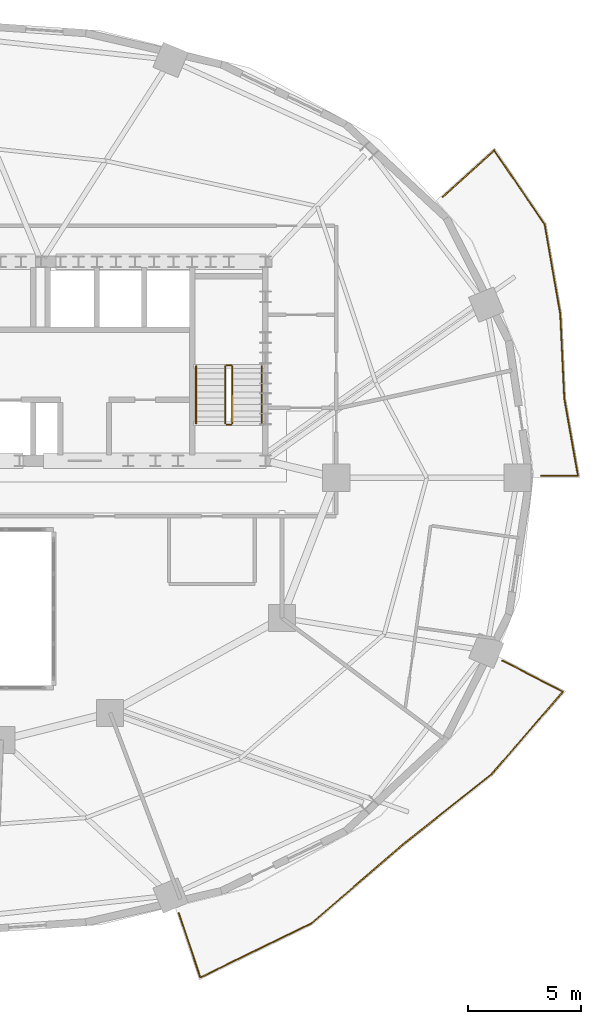
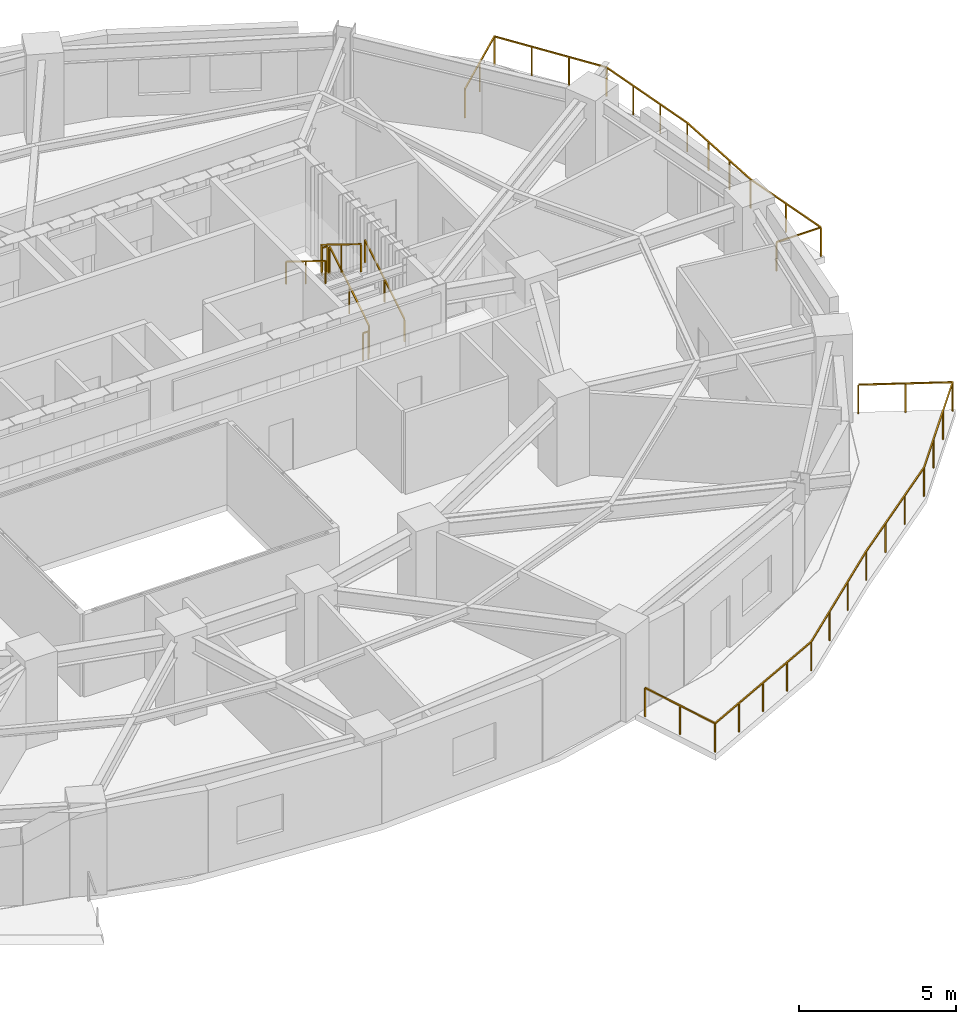
# One storey, part 12 of 12: 8 railings.
"""IFC4 building model written with IfcOpenShell, lengths in metres."""

from ifc_helpers import new_model, si_unit, direction, frame, origin, origin_2d, place, context, subcontext, project, spatial, rectangle, extrude, material, type_object, element, save


model = new_model("IFC4")

# Units and contexts
model_context = context("Model", 3, precision=1e-05, world=origin(), true_north=direction((0.0, 1.0)))
body_context = subcontext(model_context, "Body", "Model", "MODEL_VIEW")
ifc_project = project(units=[si_unit("LENGTHUNIT", "METRE"), si_unit("AREAUNIT", "SQUARE_METRE"), si_unit("VOLUMEUNIT", "CUBIC_METRE"), si_unit("PLANEANGLEUNIT", "RADIAN"), si_unit("MASSUNIT", "GRAM", prefix="KILO")], contexts=[model_context])

# Site, building, storey
site_placement = place(None, origin())
site = spatial("IfcSite", under=ifc_project, at=site_placement, CompositionType="ELEMENT")
building_placement = place(site_placement, origin())
building = spatial("IfcBuilding", under=site, at=building_placement, Name="Haldorwick Loom Tower", CompositionType="ELEMENT")
storey_placement = place(building_placement, frame((0.0, 0.0, 161.35009765625)))
storey = spatial("IfcBuildingStorey", under=building, at=storey_placement, Name="L43", CompositionType="ELEMENT", Elevation=161.35009765625)

# Railings
ifc_material_1 = material(Name="Galvanized Steel CSA G40.21 350W", Category="steel")
railing_type_1 = type_object("IfcRailingType", Name="ARC-RLG-BAL115", PredefinedType="BALUSTRADE", material=ifc_material_1)
railing_1_placement = place(storey_placement, frame((60.552734375, 17.91259765625, 0.0)))
element("IfcRailing", 1, at=railing_1_placement, inside=storey, type_object=railing_type_1, Name="L43 Outdoor Terrace Guardrail SLB-L43-BAL_SE-1", PredefinedType="BALUSTRADE", context=body_context, shape_type="SweptSolid", body=[
    extrude(rectangle(XDim=0.048095703125, YDim=0.048095703125, at=origin_2d()), frame((0.0, 0.0, 1.1259765625), z_axis=(0.888510792564, -0.458855719695, 0.0), x_axis=(0.458855719695, 0.888510792564, 0.0)), (0.0, 0.0, 1.0), 3.009765625),
    extrude(rectangle(XDim=0.048095703125, YDim=0.048095703125, at=origin_2d()), frame((2.67431640625, -1.381103515625, 1.1259765625), z_axis=(-0.654367841929, -0.756176386466, 0.0), x_axis=(0.756176386466, -0.654367841929, 0.0)), (0.0, 0.0, 1.0), 4.824951171875),
    extrude(rectangle(XDim=0.048095703125, YDim=0.048095703125, at=origin_2d()), frame((-0.48291015625, -5.029541015625, 1.1259765625), z_axis=(-0.783726636091, -0.621105916798, 0.0), x_axis=(0.621105916798, -0.783726636091, 0.0)), (0.0, 0.0, 1.0), 5.01123046875),
    extrude(rectangle(XDim=0.048095703125, YDim=0.048095703125, at=origin_2d()), frame((-4.410400390625, -8.14208984375, 1.1259765625), z_axis=(-0.773957299203, -0.633237790257, 0.0), x_axis=(0.633237790257, -0.773957299203, 0.0)), (0.0, 0.0, 1.0), 0.00341796875),
    extrude(rectangle(XDim=0.048095703125, YDim=0.048095703125, at=origin_2d()), frame((-4.4130859375, -8.144287109375, 1.1259765625), z_axis=(-0.757220744918, -0.653159049134, 0.0), x_axis=(0.653159049134, -0.757220744918, 0.0)), (0.0, 0.0, 1.0), 5.32568359375),
    extrude(rectangle(XDim=0.048095703125, YDim=0.048095703125, at=origin_2d()), frame((-8.44580078125, -11.622802734375, 1.1259765625), z_axis=(-0.899116897768, -0.43770858359, 0.0), x_axis=(0.43770858359, -0.899116897768, 0.0)), (0.0, 0.0, 1.0), 5.469970703125),
    extrude(rectangle(XDim=0.048095703125, YDim=0.048095703125, at=origin_2d()), frame((-13.364013671875, -14.01708984375, 1.1259765625), z_axis=(-0.316522037821, 0.948585156733, 0.0), x_axis=(-0.948585156733, -0.316522037821, 0.0)), (0.0, 0.0, 1.0), 2.986572265625),
    extrude(rectangle(XDim=0.0419921875, YDim=0.0419921875, at=origin_2d()), origin(), (0.0, 0.0, 1.0), 1.101806640625),
    extrude(rectangle(XDim=0.0419921875, YDim=0.0419921875, at=origin_2d()), frame((1.337158203125, -0.6904296875, 0.0)), (0.0, 0.0, 1.0), 1.101806640625),
    extrude(rectangle(XDim=0.0419921875, YDim=0.0419921875, at=origin_2d()), frame((2.67431640625, -1.381103515625, 0.0)), (0.0, 0.0, 1.0), 1.101806640625),
    extrude(rectangle(XDim=0.0419921875, YDim=0.0419921875, at=origin_2d()), frame((1.621826171875, -2.59716796875, 0.0)), (0.0, 0.0, 1.0), 1.101806640625),
    extrude(rectangle(XDim=0.0419921875, YDim=0.0419921875, at=origin_2d()), frame((0.569580078125, -3.8134765625, 0.0)), (0.0, 0.0, 1.0), 1.101806640625),
    extrude(rectangle(XDim=0.0419921875, YDim=0.0419921875, at=origin_2d()), frame((-0.48291015625, -5.029541015625, 0.0)), (0.0, 0.0, 1.0), 1.101806640625),
    extrude(rectangle(XDim=0.0419921875, YDim=0.0419921875, at=origin_2d()), frame((-1.7919921875, -6.067138671875, 0.0)), (0.0, 0.0, 1.0), 1.101806640625),
    extrude(rectangle(XDim=0.0419921875, YDim=0.0419921875, at=origin_2d()), frame((-3.101318359375, -7.1044921875, 0.0)), (0.0, 0.0, 1.0), 1.101806640625),
    extrude(rectangle(XDim=0.0419921875, YDim=0.0419921875, at=origin_2d()), frame((-4.410400390625, -8.14208984375, 0.0)), (0.0, 0.0, 1.0), 1.101806640625),
    extrude(rectangle(XDim=0.0419921875, YDim=0.0419921875, at=origin_2d()), frame((-5.75732421875, -9.3037109375, 0.0)), (0.0, 0.0, 1.0), 1.101806640625),
    extrude(rectangle(XDim=0.0419921875, YDim=0.0419921875, at=origin_2d()), frame((-7.1015625, -10.46337890625, 0.0)), (0.0, 0.0, 1.0), 1.101806640625),
    extrude(rectangle(XDim=0.0419921875, YDim=0.0419921875, at=origin_2d()), frame((-8.44580078125, -11.622802734375, 0.0)), (0.0, 0.0, 1.0), 1.101806640625),
    extrude(rectangle(XDim=0.0419921875, YDim=0.0419921875, at=origin_2d()), frame((-9.67529296875, -12.221435546875, 0.0)), (0.0, 0.0, 1.0), 1.101806640625),
    extrude(rectangle(XDim=0.0419921875, YDim=0.0419921875, at=origin_2d()), frame((-10.90478515625, -12.81982421875, 0.0)), (0.0, 0.0, 1.0), 1.101806640625),
    extrude(rectangle(XDim=0.0419921875, YDim=0.0419921875, at=origin_2d()), frame((-12.134521484375, -13.41845703125, 0.0)), (0.0, 0.0, 1.0), 1.101806640625),
    extrude(rectangle(XDim=0.0419921875, YDim=0.0419921875, at=origin_2d()), frame((-13.364013671875, -14.01708984375, 0.0)), (0.0, 0.0, 1.0), 1.101806640625),
    extrude(rectangle(XDim=0.0419921875, YDim=0.0419921875, at=origin_2d()), frame((-13.836669921875, -12.6005859375, 0.0)), (0.0, 0.0, 1.0), 1.101806640625),
    extrude(rectangle(XDim=0.0419921875, YDim=0.0419921875, at=origin_2d()), frame((-14.309326171875, -11.18408203125, 0.0)), (0.0, 0.0, 1.0), 1.101806640625),
])
railing_2_placement = place(storey_placement, frame((57.91162109375, 38.418701171875, 0.0)))
element("IfcRailing", 2, at=railing_2_placement, inside=storey, type_object=railing_type_1, Name="L43 Outdoor Terrace Guardrail SLB-L43-BAL_ENE-1", PredefinedType="BALUSTRADE", context=body_context, shape_type="SweptSolid", body=[
    extrude(rectangle(XDim=0.048095703125, YDim=0.048095703125, at=origin_2d()), frame((0.0, 0.0, 1.1259765625), z_axis=(0.741530121313, 0.670919577286, 0.0), x_axis=(-0.670919577286, 0.741530121313, 0.0)), (0.0, 0.0, 1.0), 3.06689453125),
    extrude(rectangle(XDim=0.048095703125, YDim=0.048095703125, at=origin_2d()), frame((2.274169921875, 2.0576171875, 1.1259765625), z_axis=(0.563872418529, -0.825861910747, 0.0), x_axis=(0.825861910747, 0.563872418529, 0.0)), (0.0, 0.0, 1.0), 3.95947265625),
    extrude(rectangle(XDim=0.048095703125, YDim=0.048095703125, at=origin_2d()), frame((4.5068359375, -1.21240234375, 1.1259765625), z_axis=(0.171625353709, -0.985162290166, 0.0), x_axis=(0.985162290166, 0.171625353709, 0.0)), (0.0, 0.0, 1.0), 4.0244140625),
    extrude(rectangle(XDim=0.048095703125, YDim=0.048095703125, at=origin_2d()), frame((5.197509765625, -5.177001953125, 1.1259765625), z_axis=(0.047350743594, -0.998878324463, 0.0), x_axis=(0.998878324463, 0.047350743594, 0.0)), (0.0, 0.0, 1.0), 3.73291015625),
    extrude(rectangle(XDim=0.048095703125, YDim=0.048095703125, at=origin_2d()), frame((5.374267578125, -8.90576171875, 1.1259765625), z_axis=(0.118212889785, -0.992988274195, 0.0), x_axis=(0.992988274195, 0.118212889785, 0.0)), (0.0, 0.0, 1.0), 0.01025390625),
    extrude(rectangle(XDim=0.048095703125, YDim=0.048095703125, at=origin_2d()), frame((5.37548828125, -8.916015625, 1.1259765625), z_axis=(0.174402362104, -0.984674472144, 0.0), x_axis=(0.984674472144, 0.174402362104, 0.0)), (0.0, 0.0, 1.0), 3.475830078125),
    extrude(rectangle(XDim=0.048095703125, YDim=0.048095703125, at=origin_2d()), frame((5.981689453125, -12.338623046875, 1.1259765625), z_axis=(-1.0, 0.0, 0.0), x_axis=(0.0, -1.0, 0.0)), (0.0, 0.0, 1.0), 1.633056640625),
    extrude(rectangle(XDim=0.0419921875, YDim=0.0419921875, at=origin_2d()), origin(), (0.0, 0.0, 1.0), 1.101806640625),
    extrude(rectangle(XDim=0.0419921875, YDim=0.0419921875, at=origin_2d()), frame((1.13720703125, 1.02880859375, 0.0)), (0.0, 0.0, 1.0), 1.101806640625),
    extrude(rectangle(XDim=0.0419921875, YDim=0.0419921875, at=origin_2d()), frame((2.274169921875, 2.0576171875, 0.0)), (0.0, 0.0, 1.0), 1.101806640625),
    extrude(rectangle(XDim=0.0419921875, YDim=0.0419921875, at=origin_2d()), frame((3.018310546875, 0.967529296875, 0.0)), (0.0, 0.0, 1.0), 1.101806640625),
    extrude(rectangle(XDim=0.0419921875, YDim=0.0419921875, at=origin_2d()), frame((3.7626953125, -0.122314453125, 0.0)), (0.0, 0.0, 1.0), 1.101806640625),
    extrude(rectangle(XDim=0.0419921875, YDim=0.0419921875, at=origin_2d()), frame((4.5068359375, -1.21240234375, 0.0)), (0.0, 0.0, 1.0), 1.101806640625),
    extrude(rectangle(XDim=0.0419921875, YDim=0.0419921875, at=origin_2d()), frame((4.737060546875, -2.533935546875, 0.0)), (0.0, 0.0, 1.0), 1.101806640625),
    extrude(rectangle(XDim=0.0419921875, YDim=0.0419921875, at=origin_2d()), frame((4.96728515625, -3.85546875, 0.0)), (0.0, 0.0, 1.0), 1.101806640625),
    extrude(rectangle(XDim=0.0419921875, YDim=0.0419921875, at=origin_2d()), frame((5.197509765625, -5.177001953125, 0.0)), (0.0, 0.0, 1.0), 1.101806640625),
    extrude(rectangle(XDim=0.0419921875, YDim=0.0419921875, at=origin_2d()), frame((5.25634765625, -6.419921875, 0.0)), (0.0, 0.0, 1.0), 1.101806640625),
    extrude(rectangle(XDim=0.0419921875, YDim=0.0419921875, at=origin_2d()), frame((5.3154296875, -7.662841796875, 0.0)), (0.0, 0.0, 1.0), 1.101806640625),
    extrude(rectangle(XDim=0.0419921875, YDim=0.0419921875, at=origin_2d()), frame((5.374267578125, -8.90576171875, 0.0)), (0.0, 0.0, 1.0), 1.101806640625),
    extrude(rectangle(XDim=0.0419921875, YDim=0.0419921875, at=origin_2d()), frame((5.6787109375, -10.62744140625, 0.0)), (0.0, 0.0, 1.0), 1.101806640625),
    extrude(rectangle(XDim=0.0419921875, YDim=0.0419921875, at=origin_2d()), frame((5.981689453125, -12.338623046875, 0.0)), (0.0, 0.0, 1.0), 1.101806640625),
    extrude(rectangle(XDim=0.0419921875, YDim=0.0419921875, at=origin_2d()), frame((4.3486328125, -12.338623046875, 0.0)), (0.0, 0.0, 1.0), 1.101806640625),
])
ifc_material_2 = material(Name="Steel CSA G40.21 350W", Category="steel")
railing_type_2 = type_object("IfcRailingType", Name="ARC-RLG-GUARD112", PredefinedType="GUARDRAIL", material=ifc_material_2)
railing_3_placement = place(storey_placement, frame((48.60009765625, 28.39990234375, 0.17236328125)))
element("IfcRailing", 3, at=railing_3_placement, inside=storey, type_object=railing_type_2, Name="L43 ST-02 stair guard 1", PredefinedType="GUARDRAIL", context=body_context, shape_type="SweptSolid", body=[
    extrude(rectangle(XDim=0.048095703125, YDim=0.048095703125, at=origin_2d()), frame((0.0, 0.0, 1.076171875), z_axis=(0.0, 0.851400495292, 0.524516154772), x_axis=(-1.0, 0.0, 0.0)), (0.0, 0.0, 1.0), 2.9599609375),
    extrude(rectangle(XDim=0.0419921875, YDim=0.0419921875, at=origin_2d()), origin(), (0.0, 0.0, 1.0), 1.052001953125),
    extrude(rectangle(XDim=0.0419921875, YDim=0.0419921875, at=origin_2d()), frame((0.0, 1.260009765625, 0.7763671875)), (0.0, 0.0, 1.0), 1.052001953125),
    extrude(rectangle(XDim=0.0419921875, YDim=0.0419921875, at=origin_2d()), frame((0.0, 2.52001953125, 1.552490234375)), (0.0, 0.0, 1.0), 1.052001953125),
])
railing_4_placement = place(storey_placement, frame((48.550048828125, 30.969970703125, 1.724853515625)))
element("IfcRailing", 4, at=railing_4_placement, inside=storey, type_object=railing_type_2, Name="L43 ST-02 stair guard 2", PredefinedType="GUARDRAIL", context=body_context, shape_type="SweptSolid", body=[
    extrude(rectangle(XDim=0.048095703125, YDim=0.048095703125, at=origin_2d()), frame((0.0, 0.0, 1.076171875), z_axis=(-1.0, 0.0, 0.0), x_axis=(0.0, -1.0, 0.0)), (0.0, 0.0, 1.0), 0.199951171875),
    extrude(rectangle(XDim=0.0419921875, YDim=0.0419921875, at=origin_2d()), origin(), (0.0, 0.0, 1.0), 1.052001953125),
    extrude(rectangle(XDim=0.0419921875, YDim=0.0419921875, at=origin_2d()), frame((-0.199951171875, 0.0, 0.0)), (0.0, 0.0, 1.0), 1.052001953125),
])
railing_5_placement = place(storey_placement, frame((48.300048828125, 30.919921875, 1.8974609375)))
element("IfcRailing", 5, at=railing_5_placement, inside=storey, type_object=railing_type_2, Name="L43 ST-02 stair guard 3", PredefinedType="GUARDRAIL", context=body_context, shape_type="SweptSolid", body=[
    extrude(rectangle(XDim=0.048095703125, YDim=0.048095703125, at=origin_2d()), frame((0.0, 0.0, 1.076171875), z_axis=(0.0, -0.851400495292, 0.524516154772), x_axis=(1.0, 0.0, 0.0)), (0.0, 0.0, 1.0), 2.9599609375),
    extrude(rectangle(XDim=0.0419921875, YDim=0.0419921875, at=origin_2d()), origin(), (0.0, 0.0, 1.0), 1.052001953125),
    extrude(rectangle(XDim=0.0419921875, YDim=0.0419921875, at=origin_2d()), frame((0.0, -1.260009765625, 0.7763671875)), (0.0, 0.0, 1.0), 1.052001953125),
    extrude(rectangle(XDim=0.0419921875, YDim=0.0419921875, at=origin_2d()), frame((0.0, -2.52001953125, 1.552490234375)), (0.0, 0.0, 1.0), 1.052001953125),
])
railing_6_placement = place(storey_placement, frame((48.550048828125, 28.35009765625, 0.0)))
element("IfcRailing", 6, at=railing_6_placement, inside=storey, type_object=railing_type_2, Name="L43 ST-02 stair guard 4", PredefinedType="GUARDRAIL", context=body_context, shape_type="SweptSolid", body=[
    extrude(rectangle(XDim=0.048095703125, YDim=0.048095703125, at=origin_2d()), frame((0.0, 0.0, 1.076171875), z_axis=(-1.0, 0.0, 0.0), x_axis=(0.0, -1.0, 0.0)), (0.0, 0.0, 1.0), 0.199951171875),
    extrude(rectangle(XDim=0.0419921875, YDim=0.0419921875, at=origin_2d()), origin(), (0.0, 0.0, 1.0), 1.052001953125),
    extrude(rectangle(XDim=0.0419921875, YDim=0.0419921875, at=origin_2d()), frame((-0.199951171875, 0.0, 0.0)), (0.0, 0.0, 1.0), 1.052001953125),
])
railing_type_3 = type_object("IfcRailingType", Name="ARC-RLG-HAND092", PredefinedType="HANDRAIL", material=ifc_material_2)
railing_7_placement = place(storey_placement, frame((49.89990234375, 28.39990234375, 0.17236328125)))
element("IfcRailing", 7, at=railing_7_placement, inside=storey, type_object=railing_type_3, Name="L43 ST-02 stair handrail 1", PredefinedType="HANDRAIL", context=body_context, shape_type="SweptSolid", body=[
    extrude(rectangle(XDim=0.048095703125, YDim=0.048095703125, at=origin_2d()), frame((0.0, 0.0, 0.8759765625), z_axis=(0.0, 0.851400495292, 0.524516154772), x_axis=(-1.0, 0.0, 0.0)), (0.0, 0.0, 1.0), 2.9599609375),
    extrude(rectangle(XDim=0.0419921875, YDim=0.0419921875, at=origin_2d()), origin(), (0.0, 0.0, 1.0), 0.851806640625),
    extrude(rectangle(XDim=0.0419921875, YDim=0.0419921875, at=origin_2d()), frame((0.0, 1.260009765625, 0.7763671875)), (0.0, 0.0, 1.0), 0.851806640625),
    extrude(rectangle(XDim=0.0419921875, YDim=0.0419921875, at=origin_2d()), frame((0.0, 2.52001953125, 1.552490234375)), (0.0, 0.0, 1.0), 0.851806640625),
])
railing_8_placement = place(storey_placement, frame((47.0, 30.919921875, 1.8974609375)))
element("IfcRailing", 8, at=railing_8_placement, inside=storey, type_object=railing_type_3, Name="L43 ST-02 stair handrail 2", PredefinedType="HANDRAIL", context=body_context, shape_type="SweptSolid", body=[
    extrude(rectangle(XDim=0.048095703125, YDim=0.048095703125, at=origin_2d()), frame((0.0, 0.0, 0.8759765625), z_axis=(0.0, -0.851400495292, 0.524516154772), x_axis=(1.0, 0.0, 0.0)), (0.0, 0.0, 1.0), 2.9599609375),
    extrude(rectangle(XDim=0.0419921875, YDim=0.0419921875, at=origin_2d()), origin(), (0.0, 0.0, 1.0), 0.851806640625),
    extrude(rectangle(XDim=0.0419921875, YDim=0.0419921875, at=origin_2d()), frame((0.0, -1.260009765625, 0.7763671875)), (0.0, 0.0, 1.0), 0.851806640625),
    extrude(rectangle(XDim=0.0419921875, YDim=0.0419921875, at=origin_2d()), frame((0.0, -2.52001953125, 1.552490234375)), (0.0, 0.0, 1.0), 0.851806640625),
])

save(model, "model.ifc")
